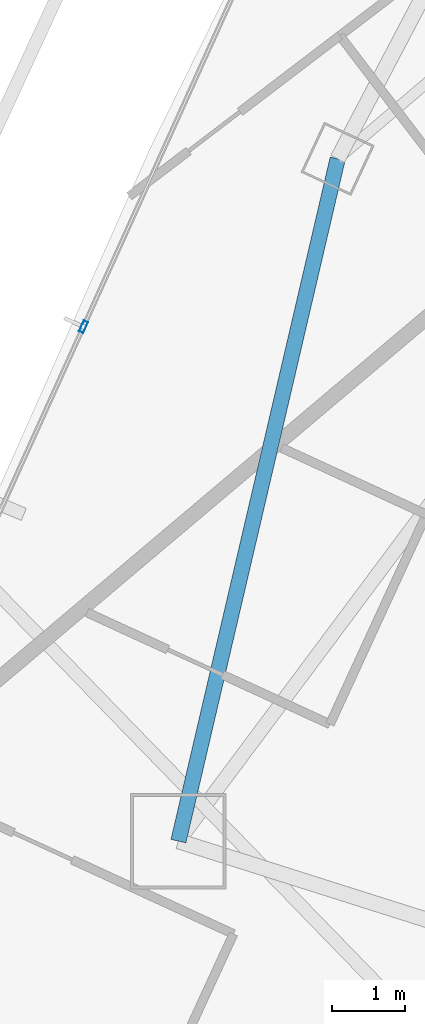
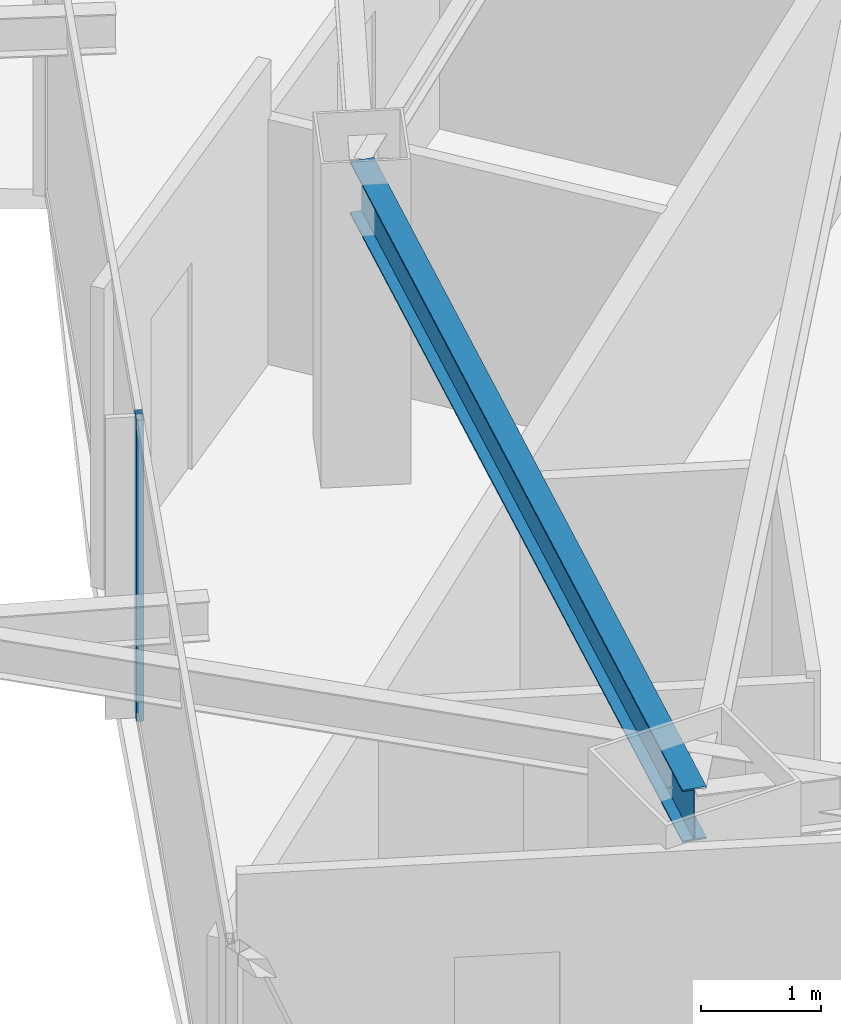
# One storey, part 6 of 33: 1 beam, 1 member, 1 element without a shape of its own.
"""IFC4 building model written with IfcOpenShell, lengths in metres."""

from ifc_helpers import new_model, si_unit, direction, frame, origin, origin_2d, place, context, subcontext, project, spatial, hollow_rectangle, i_section, extrude, material, layer, layer_set, material_profile, profile_set, type_object, element, aggregate, save


model = new_model("IFC4")

# Units and contexts
model_context = context("Model", 3, precision=1e-05, world=origin(), true_north=direction((0.0, 1.0)))
body_context = subcontext(model_context, "Body", "Model", "MODEL_VIEW")
ifc_project = project(units=[si_unit("LENGTHUNIT", "METRE"), si_unit("AREAUNIT", "SQUARE_METRE"), si_unit("VOLUMEUNIT", "CUBIC_METRE"), si_unit("PLANEANGLEUNIT", "RADIAN"), si_unit("MASSUNIT", "GRAM", prefix="KILO")], contexts=[model_context])

# Site, building, storey
site_placement = place(None, origin())
site = spatial("IfcSite", under=ifc_project, at=site_placement, CompositionType="ELEMENT")
building_placement = place(site_placement, origin())
building = spatial("IfcBuilding", under=site, at=building_placement, Name="Orvanel Arch Residences", CompositionType="ELEMENT")
storey_placement = place(building_placement, frame((0.0, 0.0, 209.60009765625)))
storey = spatial("IfcBuildingStorey", under=building, at=storey_placement, Name="L59", CompositionType="ELEMENT", Elevation=209.60009765625)

# Curtain wall, member
ifc_material_1 = material(Name="Bronze-anodised aluminium AA6063-T6", Category="aluminium")
ifc_layer = layer(ifc_material_1, 0.175048828125)
ifc_layer_set = layer_set([ifc_layer], Name="Bronze-anodised aluminium AA6063-T6")
curtain_wall_type = type_object("IfcCurtainWallType", Name="CW4-HI-SYS", PredefinedType="NOTDEFINED", material=ifc_layer_set)
curtain_wall_placement = place(storey_placement, origin())
curtain_wall = element("IfcCurtainWall", 1, at=curtain_wall_placement, inside=storey, type_object=curtain_wall_type, Name="L59 CW4-HI-SYS Unitised Curtain Wall", PredefinedType="NOTDEFINED")
ifc_material_profile_1 = material_profile(ifc_material_1, hollow_rectangle(XDim=0.06494140625, YDim=0.159912109375, WallThickness=0.00390625, at=origin_2d()), Name="ALU160x65x4")
ifc_profile_set_1 = profile_set([ifc_material_profile_1], Name="Bronze-anodised aluminium AA6063-T6")
member_type = type_object("IfcMemberType", Name="MUL-160x65", PredefinedType="MULLION", material=ifc_profile_set_1)
member_placement = place(storey_placement, frame((12.906005859375, 17.35595703125, 0.0), z_axis=(0.0, 0.0, 1.0), x_axis=(0.911395859217, -0.411530785971, 0.0)))
member = element("IfcMember", 2, at=member_placement, type_object=member_type, Name="CW-S4 mullion 2", PredefinedType="MULLION", context=body_context, shape_type="SweptSolid", body=[
    extrude(hollow_rectangle(XDim=0.06494140625, YDim=0.159912109375, WallThickness=0.00390625, at=origin_2d()), origin(), (0.0, 0.0, 1.0), 3.059814453125),
])
aggregate(curtain_wall, [member])

# Beam
ifc_material_2 = material(Name="Structural steel AS/NZS 3679.1 Grade 300 (300 MPa)", Category="steel")
ifc_material_profile_2 = material_profile(ifc_material_2, i_section(OverallWidth=0.208984375, OverallDepth=0.532958984375, WebThickness=0.01025390625, FlangeThickness=0.015625, at=origin_2d()), Name="530UB92.4")
ifc_profile_set_2 = profile_set([ifc_material_profile_2], Name="Structural steel AS/NZS 3679.1 Grade 300 (300 MPa)")
beam_type = type_object("IfcBeamType", Name="SP-530UB", PredefinedType="SPANDREL", material=ifc_profile_set_2)
beam_placement = place(storey_placement, frame((16.366943359375, 19.64208984375, 2.79296875), z_axis=(-0.227236087167, -0.973839699688, 0.0), x_axis=(0.973839699688, -0.227236087167, 0.0)))
element("IfcBeam", 3, at=beam_placement, inside=storey, type_object=beam_type, Name="L59 Perimeter Spandrel Beam 01", PredefinedType="SPANDREL", context=body_context, shape_type="SweptSolid", body=[
    extrude(i_section(OverallWidth=0.208984375, OverallDepth=0.532958984375, WebThickness=0.01025390625, FlangeThickness=0.015625, at=origin_2d()), origin(), (0.0, 0.0, 1.0), 9.54052734375),
])

save(model, "model.ifc")
